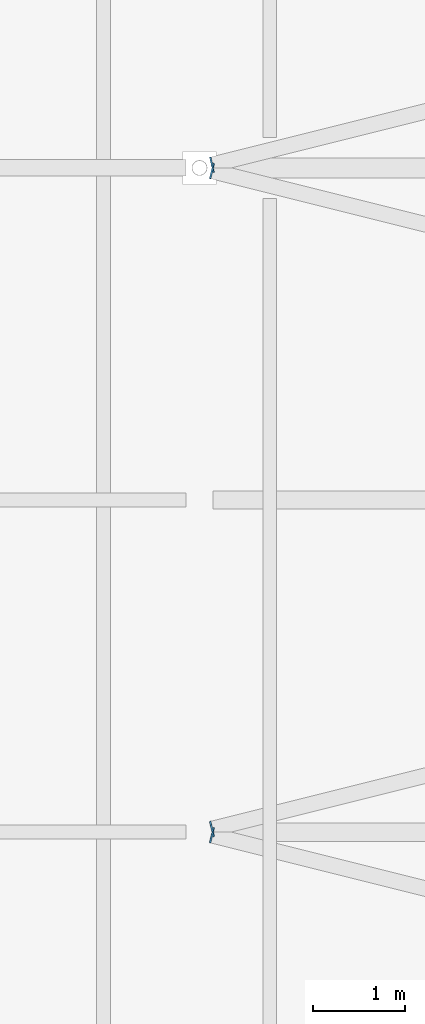
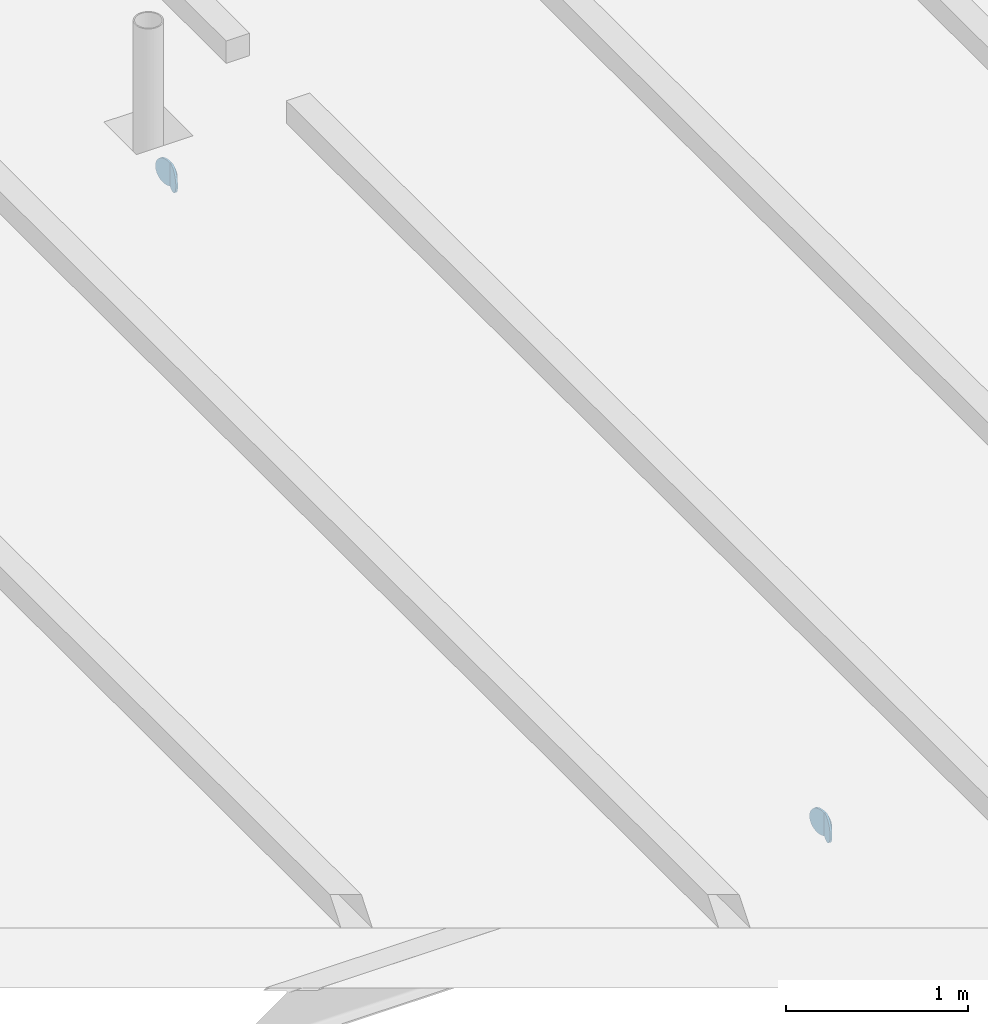
# One storey, part 79 of 120: 4 discrete accessories.
"""IFC4 building model written with IfcOpenShell, lengths in metres."""

from ifc_helpers import new_model, si_unit, direction, frame, origin, origin_2d, place, context, subcontext, project, spatial, circle, extrude, material, layer, layer_set, type_object, element, save


model = new_model("IFC4")

# Units and contexts
model_context = context("Model", 3, precision=1e-05, world=origin(), true_north=direction((0.0, 1.0)))
body_context = subcontext(model_context, "Body", "Model", "MODEL_VIEW")
ifc_project = project(units=[si_unit("LENGTHUNIT", "METRE"), si_unit("AREAUNIT", "SQUARE_METRE"), si_unit("VOLUMEUNIT", "CUBIC_METRE"), si_unit("PLANEANGLEUNIT", "RADIAN"), si_unit("MASSUNIT", "GRAM", prefix="KILO")], contexts=[model_context])

# Site, building, storey
site_placement = place(None, origin())
site = spatial("IfcSite", under=ifc_project, at=site_placement, CompositionType="ELEMENT")
building_placement = place(site_placement, origin())
building = spatial("IfcBuilding", under=site, at=building_placement, Name="Kupolbacken Congress Centre", CompositionType="ELEMENT")
storey_placement = place(building_placement, frame((0.0, 0.0, 21.60009765625)))
storey = spatial("IfcBuildingStorey", under=building, at=storey_placement, Name="L06", CompositionType="ELEMENT", Elevation=21.60009765625)

# Discrete accessories
ifc_material = material(Name="Steel S355", Category="steel")
ifc_layer = layer(ifc_material, 0.011962890625)
ifc_layer_set = layer_set([ifc_layer], Name="Steel S355")
discrete_accessory_type = type_object("IfcDiscreteAccessoryType", Name="EC2 tube end cap plate 168 dia x 12", PredefinedType="BRACKET", material=ifc_layer_set)
for number, where, z_axis, x_axis, name in (
    (1, (93.74072265625, 89.96484375, -0.084228515625), (-0.970142500145, 0.242535625036, 0.0), (-0.242535625036, -0.970142500145, 0.0), "End cap plate HR/RB/01-12 B"),
    (2, (93.74072265625, 90.03515625, -0.084228515625), (-0.970142500145, -0.242535625036, 0.0), (0.242535625036, -0.970142500145, 0.0), "End cap plate HR/RB/01-13 A"),
    (3, (93.74072265625, 97.164794921875, -0.084228515625), (-0.970142500145, 0.242535625036, 0.0), (-0.242535625036, -0.970142500145, 0.0), "End cap plate HR/RB/01-14 B"),
    (4, (93.74072265625, 97.235107421875, -0.084228515625), (-0.974732318528, -0.223376156329, 0.0), (0.223376156329, -0.974732318528, 0.0), "End cap plate HR/RB/01-15 A"),
):
    element("IfcDiscreteAccessory", number, at=place(storey_placement, frame(where, z_axis=z_axis, x_axis=x_axis)), inside=storey, type_object=discrete_accessory_type, Name=name, PredefinedType="BRACKET", context=body_context, shape_type="SweptSolid", body=[
        extrude(circle(Radius=0.084228515625, at=origin_2d()), origin(), (0.0, 0.0, 1.0), 0.011962890625),
    ])

save(model, "model.ifc")
